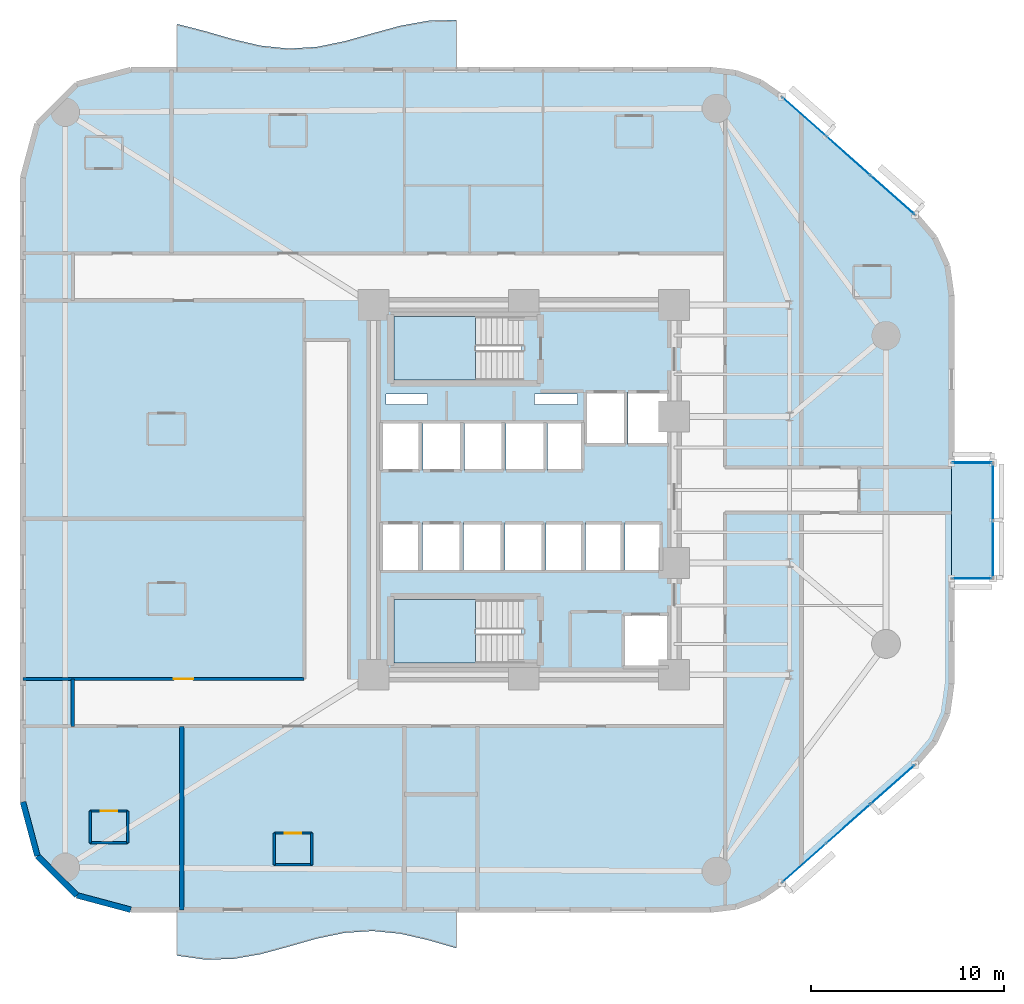
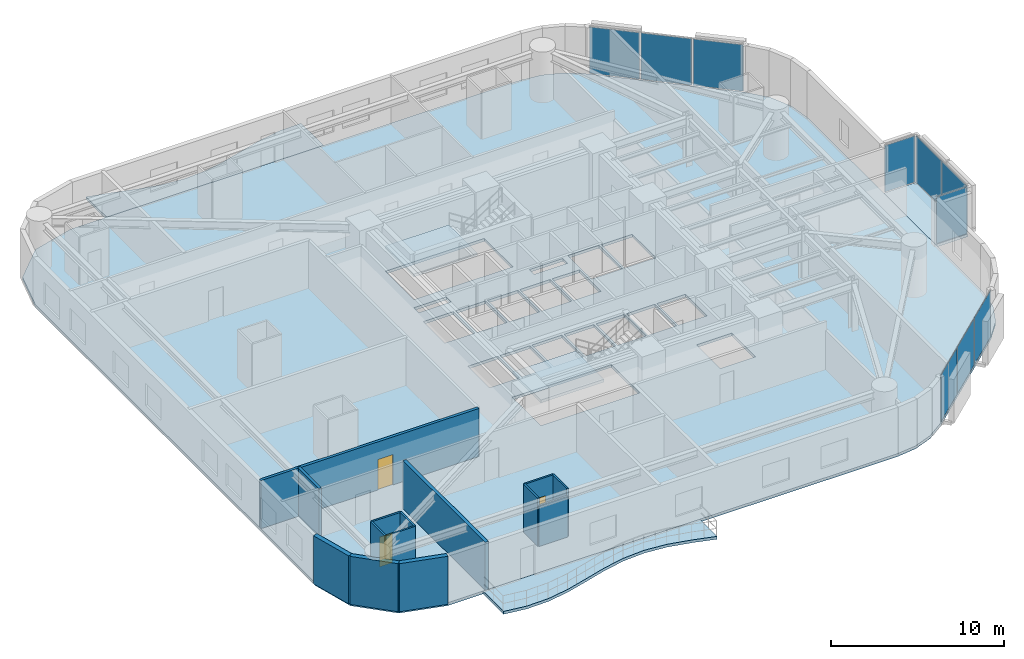
# One storey, part 9 of 17: 14 walls, 10 plates, 6 slabs, 3 doors, 3 openings, 7 elements without a shape of their own.
"""IFC4 building model written with IfcOpenShell, lengths in metres."""

from ifc_helpers import new_model, si_unit, direction, frame, frame_2d, origin, origin_2d, place, context, subcontext, project, spatial, polyline, rectangle, outline, extrude, material, layer, layer_set, type_object, element, fill, aggregate, save


model = new_model("IFC4")

# Units and contexts
model_context = context("Model", 3, precision=1e-05, world=origin(), true_north=direction((0.0, 1.0)))
body_context = subcontext(model_context, "Body", "Model", "MODEL_VIEW")
ifc_project = project(units=[si_unit("LENGTHUNIT", "METRE"), si_unit("AREAUNIT", "SQUARE_METRE"), si_unit("VOLUMEUNIT", "CUBIC_METRE"), si_unit("PLANEANGLEUNIT", "RADIAN"), si_unit("MASSUNIT", "GRAM", prefix="KILO")], contexts=[model_context])

# Site, building, storey
site_placement = place(None, origin())
site = spatial("IfcSite", under=ifc_project, at=site_placement, CompositionType="ELEMENT")
building_placement = place(site_placement, origin())
building = spatial("IfcBuilding", under=site, at=building_placement, Name="An Khanh Terracotta Commons", CompositionType="ELEMENT")
storey_placement = place(building_placement, frame((0.0, 0.0, 36.0)))
storey = spatial("IfcBuildingStorey", under=building, at=storey_placement, Name="L09", CompositionType="ELEMENT", Elevation=36.0)

# Curtain wall, plates
ifc_material_1 = material(Name="Anodised Aluminium 6063-T6", Category="aluminium")
ifc_layer_1 = layer(ifc_material_1, 0.199951171875, Name="Anodised Aluminium 6063-T6")
ifc_layer_set_1 = layer_set([ifc_layer_1], Name="Anodised Aluminium 6063-T6")
curtain_wall_type_1 = type_object("IfcCurtainWallType", Name="CW-SYS-02", PredefinedType="USERDEFINED", material=ifc_layer_set_1)
curtain_wall_1_placement = place(storey_placement, origin())
curtain_wall_1 = element("IfcCurtainWall", 1, at=curtain_wall_1_placement, inside=storey, type_object=curtain_wall_type_1, Name="L09 CW-02 Unitised Curtain Wall CW-L09-08", ObjectType="UNITISED CURTAIN WALL", PredefinedType="USERDEFINED")
ifc_material_2 = material(Name="Double Low-E Solar Control Glazing", Category="glass")
ifc_layer_2 = layer(ifc_material_2, 0.028076171875, Name="Double Low-E Solar Control Glazing")
ifc_layer_set_2 = layer_set([ifc_layer_2], Name="Double Low-E Solar Control Glazing")
plate_type_1 = type_object("IfcPlateType", Name="CWP-IGU-28", PredefinedType="CURTAIN_PANEL", material=ifc_layer_set_2)
plate_1_placement = place(storey_placement, frame((43.95556640625, 4.637939453125, 0.06005859375), z_axis=(0.0, 0.0, 1.0), x_axis=(0.749019284633, 0.662548195415, 0.0)))
plate_1 = element("IfcPlate", 2, at=plate_1_placement, type_object=plate_type_1, Name="CW-02 panel 1.1", PredefinedType="CURTAIN_PANEL", context=body_context, shape_type="SweptSolid", body=[
    extrude(rectangle(XDim=2.97509765625, YDim=0.028076171875, at=origin_2d()), origin(), (0.0, 0.0, 1.0), 3.280029296875),
])
plate_2_placement = place(storey_placement, frame((46.24951171875, 6.6669921875, 0.06005859375), z_axis=(0.0, 0.0, 1.0), x_axis=(0.749019284633, 0.662548195415, 0.0)))
plate_2 = element("IfcPlate", 3, at=plate_2_placement, type_object=plate_type_1, Name="CW-02 panel 2.1", PredefinedType="CURTAIN_PANEL", context=body_context, shape_type="SweptSolid", body=[
    extrude(rectangle(XDim=3.010009765625, YDim=0.028076171875, at=origin_2d()), origin(), (0.0, 0.0, 1.0), 3.280029296875),
])
plate_3_placement = place(storey_placement, frame((48.54345703125, 8.696044921875, 0.06005859375), z_axis=(0.0, 0.0, 1.0), x_axis=(0.749019284633, 0.662548195415, 0.0)))
plate_3 = element("IfcPlate", 4, at=plate_3_placement, type_object=plate_type_1, Name="CW-02 panel 3.1", PredefinedType="CURTAIN_PANEL", context=body_context, shape_type="SweptSolid", body=[
    extrude(rectangle(XDim=2.97509765625, YDim=0.028076171875, at=origin_2d()), origin(), (0.0, 0.0, 1.0), 3.280029296875),
])
aggregate(curtain_wall_1, [plate_1, plate_2, plate_3])

curtain_wall_2_placement = place(storey_placement, origin())
curtain_wall_2 = element("IfcCurtainWall", 5, at=curtain_wall_2_placement, inside=storey, type_object=curtain_wall_type_1, Name="L09 CW-02 Unitised Curtain Wall CW-L09-16", ObjectType="UNITISED CURTAIN WALL", PredefinedType="USERDEFINED")
plate_4_placement = place(storey_placement, frame((48.54345703125, 39.303955078125, 0.06005859375), z_axis=(0.0, 0.0, 1.0), x_axis=(-0.749019284633, 0.662548195415, 0.0)))
plate_4 = element("IfcPlate", 6, at=plate_4_placement, type_object=plate_type_1, Name="CW-02 panel 1.1", PredefinedType="CURTAIN_PANEL", context=body_context, shape_type="SweptSolid", body=[
    extrude(rectangle(XDim=2.97509765625, YDim=0.028076171875, at=origin_2d()), origin(), (0.0, 0.0, 1.0), 3.280029296875),
])
plate_5_placement = place(storey_placement, frame((46.24951171875, 41.3330078125, 0.06005859375), z_axis=(0.0, 0.0, 1.0), x_axis=(-0.749019284633, 0.662548195415, 0.0)))
plate_5 = element("IfcPlate", 7, at=plate_5_placement, type_object=plate_type_1, Name="CW-02 panel 2.1", PredefinedType="CURTAIN_PANEL", context=body_context, shape_type="SweptSolid", body=[
    extrude(rectangle(XDim=3.010009765625, YDim=0.028076171875, at=origin_2d()), origin(), (0.0, 0.0, 1.0), 3.280029296875),
])
plate_6_placement = place(storey_placement, frame((43.95556640625, 43.362060546875, 0.06005859375), z_axis=(0.0, 0.0, 1.0), x_axis=(-0.749019284633, 0.662548195415, 0.0)))
plate_6 = element("IfcPlate", 8, at=plate_6_placement, type_object=plate_type_1, Name="CW-02 panel 3.1", PredefinedType="CURTAIN_PANEL", context=body_context, shape_type="SweptSolid", body=[
    extrude(rectangle(XDim=2.97509765625, YDim=0.028076171875, at=origin_2d()), origin(), (0.0, 0.0, 1.0), 3.280029296875),
])
aggregate(curtain_wall_2, [plate_4, plate_5, plate_6])

ifc_layer_3 = layer(ifc_material_1, 0.239990234375, Name="Anodised Aluminium 6063-T6")
ifc_layer_set_3 = layer_set([ifc_layer_3], Name="Anodised Aluminium 6063-T6")
curtain_wall_type_2 = type_object("IfcCurtainWallType", Name="CW-SYS-04", PredefinedType="USERDEFINED", material=ifc_layer_set_3)
curtain_wall_3_placement = place(storey_placement, origin())
curtain_wall_3 = element("IfcCurtainWall", 9, at=curtain_wall_3_placement, inside=storey, type_object=curtain_wall_type_2, Name="L09 CW-04 Unitised Curtain Wall CW-L09-EBOX-1", ObjectType="UNITISED CURTAIN WALL", PredefinedType="USERDEFINED")
ifc_material_3 = material(Name="Triple-Silver Sky-Lobby Glazing", Category="glass")
ifc_layer_4 = layer(ifc_material_3, 0.0400390625, Name="Triple-Silver Sky-Lobby Glazing")
ifc_layer_set_4 = layer_set([ifc_layer_4], Name="Triple-Silver Sky-Lobby Glazing")
plate_type_2 = type_object("IfcPlateType", Name="CWP-IGU-40", PredefinedType="CURTAIN_PANEL", material=ifc_layer_set_4)
plate_7_placement = place(storey_placement, frame((53.75, 20.916259765625, 0.06005859375), z_axis=(0.0, 0.0, 1.0), x_axis=(0.0, 1.0, 0.0)))
plate_7 = element("IfcPlate", 10, at=plate_7_placement, type_object=plate_type_2, Name="CW-04 panel 1.1", PredefinedType="CURTAIN_PANEL", context=body_context, shape_type="SweptSolid", body=[
    extrude(rectangle(XDim=2.902587890625, YDim=0.0400390625, at=origin_2d()), origin(), (0.0, 0.0, 1.0), 3.280029296875),
])
plate_8_placement = place(storey_placement, frame((53.75, 23.8837890625, 0.06005859375), z_axis=(0.0, 0.0, 1.0), x_axis=(0.0, 1.0, 0.0)))
plate_8 = element("IfcPlate", 11, at=plate_8_placement, type_object=plate_type_2, Name="CW-04 panel 2.1", PredefinedType="CURTAIN_PANEL", context=body_context, shape_type="SweptSolid", body=[
    extrude(rectangle(XDim=2.902587890625, YDim=0.0400390625, at=origin_2d()), origin(), (0.0, 0.0, 1.0), 3.280029296875),
])
aggregate(curtain_wall_3, [plate_7, plate_8])

# Curtain wall, plate
curtain_wall_4_placement = place(storey_placement, origin())
curtain_wall_4 = element("IfcCurtainWall", 12, at=curtain_wall_4_placement, inside=storey, type_object=curtain_wall_type_2, Name="L09 CW-04 Unitised Curtain Wall CW-L09-EBOX-2", ObjectType="UNITISED CURTAIN WALL", PredefinedType="USERDEFINED")
plate_9_placement = place(storey_placement, frame((52.675048828125, 19.39990234375, 0.06005859375), z_axis=(0.0, 0.0, 1.0), x_axis=(1.0, 0.0, 0.0)))
plate_9 = element("IfcPlate", 13, at=plate_9_placement, type_object=plate_type_2, Name="CW-04 panel 1.1", PredefinedType="CURTAIN_PANEL", context=body_context, shape_type="SweptSolid", body=[
    extrude(rectangle(XDim=2.02001953125, YDim=0.0400390625, at=origin_2d()), origin(), (0.0, 0.0, 1.0), 3.280029296875),
])
aggregate(curtain_wall_4, [plate_9])

curtain_wall_5_placement = place(storey_placement, origin())
curtain_wall_5 = element("IfcCurtainWall", 14, at=curtain_wall_5_placement, inside=storey, type_object=curtain_wall_type_2, Name="L09 CW-04 Unitised Curtain Wall CW-L09-EBOX-3", ObjectType="UNITISED CURTAIN WALL", PredefinedType="USERDEFINED")
plate_10_placement = place(storey_placement, frame((52.675048828125, 25.39990234375, 0.06005859375), z_axis=(0.0, 0.0, 1.0), x_axis=(-1.0, 0.0, 0.0)))
plate_10 = element("IfcPlate", 15, at=plate_10_placement, type_object=plate_type_2, Name="CW-04 panel 1.1", PredefinedType="CURTAIN_PANEL", context=body_context, shape_type="SweptSolid", body=[
    extrude(rectangle(XDim=2.02001953125, YDim=0.0400390625, at=origin_2d()), origin(), (0.0, 0.0, 1.0), 3.280029296875),
])
aggregate(curtain_wall_5, [plate_10])

# Slabs
ifc_material_4 = material(Name="Concrete C40/50", Category="concrete")
ifc_layer_5 = layer(ifc_material_4, 0.199951171875, Name="Concrete C40/50")
ifc_layer_set_5 = layer_set([ifc_layer_5], Name="Concrete C40/50")
slab_type_1 = type_object("IfcSlabType", Name="SLAB-BALC-200", PredefinedType="FLOOR", material=ifc_layer_set_5)
slab_1_placement = place(storey_placement, frame((0.0, 0.0, -0.199951171875)))
element("IfcSlab", 16, at=slab_1_placement, inside=storey, type_object=slab_type_1, Name="L09 S Sinusoidal Wave Balcony Slab", PredefinedType="FLOOR", context=body_context, shape_type="SweptSolid", body=[
    extrude(outline(polyline([(11.39990234375, 2.199951171875), (11.39990234375, -0.179931640625), (12.85009765625, -0.383056640625), (14.300048828125, -0.35400390625), (15.75, -0.10302734375), (17.199951171875, 0.291015625), (18.64990234375, 0.7041015625), (20.10009765625, 1.00390625), (21.550048828125, 1.09912109375), (23.0, 0.95703125), (24.449951171875, 0.623046875), (25.89990234375, 0.2041015625), (25.89990234375, 2.199951171875), (11.39990234375, 2.199951171875)])), origin(), (0.0, 0.0, 1.0), 0.199951171875),
])
slab_2_placement = place(storey_placement, frame((0.0, 0.0, -0.199951171875)))
element("IfcSlab", 17, at=slab_2_placement, inside=storey, type_object=slab_type_1, Name="L09 N Sinusoidal Wave Balcony Slab", PredefinedType="FLOOR", context=body_context, shape_type="SweptSolid", body=[
    extrude(outline(polyline([(25.89990234375, 45.800048828125), (25.89990234375, 48.385986328125), (24.449951171875, 48.347900390625), (23.0, 48.091064453125), (21.550048828125, 47.694091796875), (20.10009765625, 47.283935546875), (18.64990234375, 46.989013671875), (17.199951171875, 46.902099609375), (15.75, 47.052001953125), (14.300048828125, 47.389892578125), (12.85009765625, 47.81103515625), (11.39990234375, 48.179931640625), (11.39990234375, 45.800048828125), (25.89990234375, 45.800048828125)])), origin(), (0.0, 0.0, 1.0), 0.199951171875),
])

# Stair, slab
ifc_material_5 = material(Name="Precast concrete C40/50", Category="concrete")
stair_type = type_object("IfcStairType", Name="STAIR-CORE-1550", PredefinedType="HALF_TURN_STAIR", material=ifc_material_5)
stair_1_placement = place(storey_placement, origin())
stair_1 = element("IfcStair", 18, at=stair_1_placement, inside=storey, type_object=stair_type, Name="L09 Core Smokeproof Exit Stair ST-01", PredefinedType="HALF_TURN_STAIR")
ifc_layer_6 = layer(ifc_material_4, 0.18994140625, Name="Concrete C40/50")
ifc_layer_set_6 = layer_set([ifc_layer_6], Name="Concrete C40/50")
slab_type_2 = type_object("IfcSlabType", Name="SLAB-LANDING-190", PredefinedType="LANDING", material=ifc_layer_set_6)
slab_3_placement = place(storey_placement, frame((0.0, 0.0, 1.60009765625)))
slab_3 = element("IfcSlab", 19, at=slab_3_placement, type_object=slab_type_2, Name="ST-01 landing 1", PredefinedType="LANDING", context=body_context, shape_type="SweptSolid", body=[
    extrude(outline(polyline([(26.889892578125, 33.0), (22.64990234375, 33.0), (22.64990234375, 29.699951171875), (26.889892578125, 29.699951171875), (26.889892578125, 33.0)])), origin(), (0.0, 0.0, 1.0), 0.199951171875),
])
aggregate(stair_1, [slab_3])

stair_2_placement = place(storey_placement, origin())
stair_2 = element("IfcStair", 20, at=stair_2_placement, inside=storey, type_object=stair_type, Name="L09 Core Smokeproof Exit Stair ST-02", PredefinedType="HALF_TURN_STAIR")
slab_4_placement = place(storey_placement, frame((0.0, 0.0, 1.60009765625)))
slab_4 = element("IfcSlab", 21, at=slab_4_placement, type_object=slab_type_2, Name="ST-02 landing 1", PredefinedType="LANDING", context=body_context, shape_type="SweptSolid", body=[
    extrude(outline(polyline([(26.889892578125, 18.300048828125), (22.64990234375, 18.300048828125), (22.64990234375, 15.0), (26.889892578125, 15.0), (26.889892578125, 18.300048828125)])), origin(), (0.0, 0.0, 1.0), 0.199951171875),
])
aggregate(stair_2, [slab_4])

# Slabs
ifc_layer_7 = layer(ifc_material_4, 0.199951171875, Name="Concrete C40/50")
ifc_layer_set_7 = layer_set([ifc_layer_7], Name="Concrete C40/50")
slab_type_3 = type_object("IfcSlabType", Name="SLAB-TYP-200", PredefinedType="FLOOR", material=ifc_layer_set_7)
slab_5_placement = place(storey_placement, frame((0.0, 0.0, -0.199951171875)))
element("IfcSlab", 22, at=slab_5_placement, inside=storey, type_object=slab_type_3, Name="L09 Structural Floor Slab", PredefinedType="FLOOR", context=body_context, shape_type="SweptSolid", body=[
    extrude(outline(polyline([(3.39990234375, 7.800048828125), (4.14990234375, 5.0), (6.199951171875, 2.949951171875), (9.0, 2.199951171875), (39.0791015625, 2.199951171875), (40.4169921875, 2.362060546875), (41.678955078125, 2.840087890625), (42.7890625, 3.60595703125), (49.7099609375, 9.72802734375), (50.73193359375, 10.927978515625), (51.37890625, 12.363037109375), (51.60009765625, 13.923095703125), (51.60009765625, 34.076904296875), (51.37890625, 35.636962890625), (50.73193359375, 37.072021484375), (49.7099609375, 38.27197265625), (42.7890625, 44.39404296875), (41.678955078125, 45.159912109375), (40.4169921875, 45.637939453125), (39.0791015625, 45.800048828125), (9.0, 45.800048828125), (6.199951171875, 45.050048828125), (4.14990234375, 43.0), (3.39990234375, 40.199951171875), (3.39990234375, 7.800048828125)]), holes=[polyline([(22.64990234375, 29.699951171875), (29.27001953125, 29.699951171875), (29.27001953125, 33.0), (22.64990234375, 33.0), (22.64990234375, 29.699951171875)]), polyline([(22.64990234375, 15.0), (29.27001953125, 15.0), (29.27001953125, 18.300048828125), (22.64990234375, 18.300048828125), (22.64990234375, 15.0)]), polyline([(32.60009765625, 26.35009765625), (34.679931640625, 26.35009765625), (34.679931640625, 29.080078125), (32.60009765625, 29.080078125), (32.60009765625, 26.35009765625)]), polyline([(34.820068359375, 26.35009765625), (36.89990234375, 26.35009765625), (36.89990234375, 29.080078125), (34.820068359375, 29.080078125), (34.820068359375, 26.35009765625)]), polyline([(34.550048828125, 14.800048828125), (36.89990234375, 14.800048828125), (36.89990234375, 17.550048828125), (34.550048828125, 17.550048828125), (34.550048828125, 14.800048828125)]), polyline([(22.0, 25.0), (24.02001953125, 25.0), (24.02001953125, 27.5), (22.0, 27.5), (22.0, 25.0)]), polyline([(24.159912109375, 25.0), (26.179931640625, 25.0), (26.179931640625, 27.5), (24.159912109375, 27.5), (24.159912109375, 25.0)]), polyline([(22.0, 19.800048828125), (24.0, 19.800048828125), (24.0, 22.300048828125), (22.0, 22.300048828125), (22.0, 19.800048828125)]), polyline([(24.139892578125, 19.800048828125), (26.139892578125, 19.800048828125), (26.139892578125, 22.300048828125), (24.139892578125, 22.300048828125), (24.139892578125, 19.800048828125)]), polyline([(26.320068359375, 25.0), (28.340087890625, 25.0), (28.340087890625, 27.5), (26.320068359375, 27.5), (26.320068359375, 25.0)]), polyline([(28.47998046875, 25.0), (30.5, 25.0), (30.5, 27.5), (28.47998046875, 27.5), (28.47998046875, 25.0)]), polyline([(26.280029296875, 19.800048828125), (28.280029296875, 19.800048828125), (28.280029296875, 22.300048828125), (26.280029296875, 22.300048828125), (26.280029296875, 19.800048828125)]), polyline([(28.419921875, 19.800048828125), (30.419921875, 19.800048828125), (30.419921875, 22.300048828125), (28.419921875, 22.300048828125), (28.419921875, 19.800048828125)]), polyline([(30.639892578125, 25.0), (32.4599609375, 25.0), (32.4599609375, 27.5), (30.639892578125, 27.5), (30.639892578125, 25.0)]), polyline([(30.56005859375, 19.800048828125), (32.4599609375, 19.800048828125), (32.4599609375, 22.300048828125), (30.56005859375, 22.300048828125), (30.56005859375, 19.800048828125)]), polyline([(32.60009765625, 19.800048828125), (34.5, 19.800048828125), (34.5, 22.300048828125), (32.60009765625, 22.300048828125), (32.60009765625, 19.800048828125)]), polyline([(34.639892578125, 19.800048828125), (36.5400390625, 19.800048828125), (36.5400390625, 22.300048828125), (34.639892578125, 22.300048828125), (34.639892578125, 19.800048828125)]), polyline([(22.25, 28.419921875), (24.39990234375, 28.419921875), (24.39990234375, 28.97998046875), (22.25, 28.97998046875), (22.25, 28.419921875)]), polyline([(29.949951171875, 28.419921875), (32.199951171875, 28.419921875), (32.199951171875, 28.97998046875), (29.949951171875, 28.97998046875), (29.949951171875, 28.419921875)])]), origin(), (0.0, 0.0, 1.0), 0.199951171875),
])
slab_6_placement = place(storey_placement, frame((0.0, 0.0, -0.199951171875)))
element("IfcSlab", 23, at=slab_6_placement, inside=storey, type_object=slab_type_3, Name="L09 Shifted Social Kitchen Box Floor Slab", PredefinedType="FLOOR", context=body_context, shape_type="SweptSolid", body=[
    extrude(outline(polyline([(51.60009765625, 19.39990234375), (53.75, 19.39990234375), (53.75, 25.39990234375), (51.60009765625, 25.39990234375), (51.60009765625, 19.39990234375)])), origin(), (0.0, 0.0, 1.0), 0.199951171875),
])

# Wall, opening, door
ifc_material_6 = material(Name="Fire-Rated Gypsum Board on Steel Stud", Category="steel")
ifc_layer_8 = layer(ifc_material_6, 0.179931640625, Name="Fire-Rated Gypsum Board on Steel Stud")
ifc_layer_set_8 = layer_set([ifc_layer_8], Name="Fire-Rated Gypsum Board on Steel Stud")
wall_type_1 = type_object("IfcWallType", Name="WALL-CORR-180", PredefinedType="PARTITIONING", material=ifc_layer_set_8)
wall_1_placement = place(storey_placement, frame((3.39990234375, 14.179931640625, 0.0), z_axis=(0.0, 0.0, 1.0), x_axis=(1.0, 0.0, 0.0)))
wall_1 = element("IfcWall", 24, at=wall_1_placement, inside=storey, type_object=wall_type_1, Name="L09 Interior Partition IW-L09-E003", PredefinedType="PARTITIONING", context=body_context, shape_type="SweptSolid", body=[
    extrude(rectangle(XDim=14.60009765625, YDim=0.179931640625, at=frame_2d((7.300048828125, 0.0))), origin(), (0.0, 0.0, 1.0), 3.39990234375),
])
opening_1_placement = place(wall_1_placement, frame((7.840087890625, 0.0, 0.0)))
opening_1 = element("IfcOpeningElement", 25, at=opening_1_placement, cuts=wall_1, Name="Opening D-UN", PredefinedType="OPENING", context=body_context, shape_type="SweptSolid", body=[
    extrude(rectangle(XDim=1.0, YDim=2.14990234375, at=frame_2d((0.5, 1.074951171875))), frame((0.0, 0.099853515625, 0.0), z_axis=(0.0, -1.0, 0.0), x_axis=(1.0, 0.0, 0.0)), (0.0, 0.0, 1.0), 0.199951171875),
])
ifc_material_7 = material(Name="Solid-Core Hardwood Acoustic Fire Door", Category="wood")
door_type_1 = type_object("IfcDoorType", Name="DOOR-UNIT-1000", OperationType="NOTDEFINED", PredefinedType="DOOR", material=ifc_material_7)
door_1_placement = place(opening_1_placement, origin())
door_1 = element("IfcDoor", 26, at=door_1_placement, inside=storey, type_object=door_type_1, Name="L09 WW1 Kitchenette and Studio Apartment Door", OperationType="SINGLE_SWING_RIGHT", OverallHeight=2.14990234375, OverallWidth=1.0, PredefinedType="DOOR", context=body_context, shape_type="SweptSolid", body=[
    extrude(rectangle(XDim=1.0, YDim=2.14990234375, at=frame_2d((0.5, 1.074951171875))), frame((0.0, 0.02490234375, 0.0), z_axis=(0.0, -1.0, 0.0), x_axis=(1.0, 0.0, 0.0)), (0.0, 0.0, 1.0), 0.050048828125),
])
fill(opening_1, door_1)

# Walls
wall_2_placement = place(storey_placement, frame((6.0, 11.719970703125, 0.0), z_axis=(0.0, 0.0, 1.0), x_axis=(0.0, 1.0, 0.0)))
element("IfcWall", 27, at=wall_2_placement, inside=storey, type_object=wall_type_1, Name="L09 Interior Partition IW-L09-E011", PredefinedType="PARTITIONING", context=body_context, shape_type="SweptSolid", body=[
    extrude(rectangle(XDim=2.4599609375, YDim=0.179931640625, at=frame_2d((1.22998046875, 0.0))), origin(), (0.0, 0.0, 1.0), 3.39990234375),
])
ifc_layer_9 = layer(ifc_material_5, 0.300048828125, Name="Precast concrete C40/50")
ifc_layer_set_9 = layer_set([ifc_layer_9], Name="Precast concrete C40/50")
wall_type_2 = type_object("IfcWallType", Name="WALL-EXT-300", PredefinedType="SOLIDWALL", material=ifc_layer_set_9)
wall_3_placement = place(storey_placement, frame((3.39990234375, 7.800048828125, 0.0), z_axis=(0.0, 0.0, 1.0), x_axis=(0.258731875344, -0.96594917914, 0.0)))
element("IfcWall", 28, at=wall_3_placement, inside=storey, type_object=wall_type_2, Name="L09 Insulated Terracotta Exterior Wall 1", PredefinedType="SOLIDWALL", context=body_context, shape_type="SweptSolid", body=[
    extrude(rectangle(XDim=2.898681640625, YDim=0.300048828125, at=frame_2d((1.44921875, 0.0))), origin(), (0.0, 0.0, 1.0), 3.39990234375),
])
wall_4_placement = place(storey_placement, frame((4.14990234375, 5.0, 0.0), z_axis=(0.0, 0.0, 1.0), x_axis=(0.707106781187, -0.707106781187, 0.0)))
element("IfcWall", 29, at=wall_4_placement, inside=storey, type_object=wall_type_2, Name="L09 Insulated Terracotta Exterior Wall 2", PredefinedType="SOLIDWALL", context=body_context, shape_type="SweptSolid", body=[
    extrude(rectangle(XDim=2.899169921875, YDim=0.300048828125, at=frame_2d((1.44970703125, 0.0))), origin(), (0.0, 0.0, 1.0), 3.39990234375),
])
wall_5_placement = place(storey_placement, frame((6.199951171875, 2.949951171875, 0.0), z_axis=(0.0, 0.0, 1.0), x_axis=(0.96594917914, -0.258731875344, 0.0)))
element("IfcWall", 30, at=wall_5_placement, inside=storey, type_object=wall_type_2, Name="L09 Insulated Terracotta Exterior Wall 3", PredefinedType="SOLIDWALL", context=body_context, shape_type="SweptSolid", body=[
    extrude(rectangle(XDim=2.898681640625, YDim=0.300048828125, at=frame_2d((1.44921875, 0.0))), origin(), (0.0, 0.0, 1.0), 3.39990234375),
])
ifc_material_8 = material(Name="Acoustic Double-Stud Gypsum and Mineral Wool")
ifc_layer_10 = layer(ifc_material_8, 0.219970703125, Name="Acoustic Double-Stud Gypsum and Mineral Wool")
ifc_layer_set_10 = layer_set([ifc_layer_10], Name="Acoustic Double-Stud Gypsum and Mineral Wool")
wall_type_3 = type_object("IfcWallType", Name="WALL-PARTY-220", PredefinedType="PARTITIONING", material=ifc_layer_set_10)
wall_6_placement = place(storey_placement, frame((11.64990234375, 2.199951171875, 0.0), z_axis=(0.0, 0.0, 1.0), x_axis=(0.0, 1.0, 0.0)))
element("IfcWall", 31, at=wall_6_placement, inside=storey, type_object=wall_type_3, Name="L09 Interior Partition IW-L09-E014", PredefinedType="PARTITIONING", context=body_context, shape_type="SweptSolid", body=[
    extrude(rectangle(XDim=9.52001953125, YDim=0.219970703125, at=frame_2d((4.760009765625, 0.0))), origin(), (0.0, 0.0, 1.0), 3.39990234375),
])

# Wall, opening, door
ifc_material_9 = material(Name="Moisture-Resistant Cement Board Partition")
ifc_layer_11 = layer(ifc_material_9, 0.1201171875, Name="Moisture-Resistant Cement Board Partition")
ifc_layer_set_11 = layer_set([ifc_layer_11], Name="Moisture-Resistant Cement Board Partition")
wall_type_4 = type_object("IfcWallType", Name="WALL-WET-120", PredefinedType="PARTITIONING", material=ifc_layer_set_11)
wall_7_placement = place(storey_placement, frame((6.888916015625, 7.3291015625, 0.0), z_axis=(0.0, 0.0, 1.0), x_axis=(1.0, 0.0, 0.0)))
wall_7 = element("IfcWall", 32, at=wall_7_placement, inside=storey, type_object=wall_type_4, Name="L09 Interior Partition IW-L09-SW1-BN", PredefinedType="PARTITIONING", context=body_context, shape_type="SweptSolid", body=[
    extrude(rectangle(XDim=1.9501953125, YDim=0.1201171875, at=frame_2d((0.97509765625, 0.0))), origin(), (0.0, 0.0, 1.0), 3.39990234375),
])
opening_2_placement = place(wall_7_placement, frame((0.544921875, 0.0, 0.0)))
opening_2 = element("IfcOpeningElement", 33, at=opening_2_placement, cuts=wall_7, Name="Opening D-ENS", PredefinedType="OPENING", context=body_context, shape_type="SweptSolid", body=[
    extrude(rectangle(XDim=0.860107421875, YDim=2.10009765625, at=frame_2d((0.43017578125, 1.050048828125))), frame((0.0, 0.070068359375, 0.0), z_axis=(0.0, -1.0, 0.0), x_axis=(1.0, 0.0, 0.0)), (0.0, 0.0, 1.0), 0.14013671875),
])
ifc_material_10 = material(Name="Moisture-Resistant Hardwood Timber Leaf", Category="wood")
door_type_2 = type_object("IfcDoorType", Name="DOOR-BATH-860", OperationType="NOTDEFINED", PredefinedType="DOOR", material=ifc_material_10)
door_2_placement = place(opening_2_placement, origin())
door_2 = element("IfcDoor", 34, at=door_2_placement, inside=storey, type_object=door_type_2, Name="L09 Studio SW1 En-suite Door", OperationType="SINGLE_SWING_RIGHT", OverallHeight=2.10009765625, OverallWidth=0.860107421875, PredefinedType="DOOR", context=body_context, shape_type="SweptSolid", body=[
    extrude(rectangle(XDim=0.860107421875, YDim=2.10009765625, at=frame_2d((0.43017578125, 1.050048828125))), frame((0.0, 0.02490234375, 0.0), z_axis=(0.0, -1.0, 0.0), x_axis=(1.0, 0.0, 0.0)), (0.0, 0.0, 1.0), 0.050048828125),
])
fill(opening_2, door_2)

# Walls
wall_8_placement = place(storey_placement, frame((8.839111328125, 5.678955078125, 0.0), z_axis=(0.0, 0.0, 1.0), x_axis=(-1.0, 0.0, 0.0)))
element("IfcWall", 35, at=wall_8_placement, inside=storey, type_object=wall_type_4, Name="L09 Interior Partition IW-L09-SW1-BS", PredefinedType="PARTITIONING", context=body_context, shape_type="SweptSolid", body=[
    extrude(rectangle(XDim=1.9501953125, YDim=0.1201171875, at=frame_2d((0.97509765625, 0.0))), origin(), (0.0, 0.0, 1.0), 3.39990234375),
])
for number, where, z_axis, x_axis, name in (
    (36, (6.888916015625, 7.3291015625, 0.0), (0.0, 0.0, 1.0), (0.0, -1.0, 0.0), "L09 Interior Partition IW-L09-SW1-BW"),
    (37, (8.839111328125, 5.678955078125, 0.0), (0.0, 0.0, 1.0), (0.0, 1.0, 0.0), "L09 Interior Partition IW-L09-SW1-BE"),
):
    element("IfcWall", number, at=place(storey_placement, frame(where, z_axis=z_axis, x_axis=x_axis)), inside=storey, type_object=wall_type_4, Name=name, PredefinedType="PARTITIONING", context=body_context, shape_type="SweptSolid", body=[
        extrude(rectangle(XDim=1.650146484375, YDim=0.1201171875, at=frame_2d((0.8251953125, 0.0))), origin(), (0.0, 0.0, 1.0), 3.39990234375),
    ])

# Wall, opening, door
wall_9_placement = place(storey_placement, frame((16.449951171875, 6.18505859375, 0.0), z_axis=(0.0, 0.0, 1.0), x_axis=(1.0, 0.0, 0.0)))
wall_9 = element("IfcWall", 38, at=wall_9_placement, inside=storey, type_object=wall_type_4, Name="L09 Interior Partition IW-L09-SW2-BN", PredefinedType="PARTITIONING", context=body_context, shape_type="SweptSolid", body=[
    extrude(rectangle(XDim=1.949951171875, YDim=0.1201171875, at=frame_2d((0.97509765625, 0.0))), origin(), (0.0, 0.0, 1.0), 3.39990234375),
])
opening_3_placement = place(wall_9_placement, frame((0.544921875, 0.0, 0.0)))
opening_3 = element("IfcOpeningElement", 39, at=opening_3_placement, cuts=wall_9, Name="Opening D-ENS", PredefinedType="OPENING", context=body_context, shape_type="SweptSolid", body=[
    extrude(rectangle(XDim=0.860107421875, YDim=2.10009765625, at=frame_2d((0.43017578125, 1.050048828125))), frame((0.0, 0.070068359375, 0.0), z_axis=(0.0, -1.0, 0.0), x_axis=(1.0, 0.0, 0.0)), (0.0, 0.0, 1.0), 0.14013671875),
])
door_3_placement = place(opening_3_placement, origin())
door_3 = element("IfcDoor", 40, at=door_3_placement, inside=storey, type_object=door_type_2, Name="L09 Studio SW2 En-suite Door", OperationType="SINGLE_SWING_LEFT", OverallHeight=2.10009765625, OverallWidth=0.860107421875, PredefinedType="DOOR", context=body_context, shape_type="SweptSolid", body=[
    extrude(rectangle(XDim=0.860107421875, YDim=2.10009765625, at=frame_2d((0.43017578125, 1.050048828125))), frame((0.0, 0.02490234375, 0.0), z_axis=(0.0, -1.0, 0.0), x_axis=(1.0, 0.0, 0.0)), (0.0, 0.0, 1.0), 0.050048828125),
])
fill(opening_3, door_3)

# Walls
wall_10_placement = place(storey_placement, frame((18.39990234375, 4.534912109375, 0.0), z_axis=(0.0, 0.0, 1.0), x_axis=(-1.0, 0.0, 0.0)))
element("IfcWall", 41, at=wall_10_placement, inside=storey, type_object=wall_type_4, Name="L09 Interior Partition IW-L09-SW2-BS", PredefinedType="PARTITIONING", context=body_context, shape_type="SweptSolid", body=[
    extrude(rectangle(XDim=1.949951171875, YDim=0.1201171875, at=frame_2d((0.97509765625, 0.0))), origin(), (0.0, 0.0, 1.0), 2.882080078125),
])
for number, where, z_axis, x_axis, name in (
    (42, (16.449951171875, 6.18505859375, 0.0), (0.0, 0.0, 1.0), (0.0, -1.0, 0.0), "L09 Interior Partition IW-L09-SW2-BW"),
    (43, (18.39990234375, 4.534912109375, 0.0), (0.0, 0.0, 1.0), (0.0, 1.0, 0.0), "L09 Interior Partition IW-L09-SW2-BE"),
):
    element("IfcWall", number, at=place(storey_placement, frame(where, z_axis=z_axis, x_axis=x_axis)), inside=storey, type_object=wall_type_4, Name=name, PredefinedType="PARTITIONING", context=body_context, shape_type="SweptSolid", body=[
        extrude(rectangle(XDim=1.650146484375, YDim=0.1201171875, at=frame_2d((0.8251953125, 0.0))), origin(), (0.0, 0.0, 1.0), 3.39990234375),
    ])

save(model, "model.ifc")
